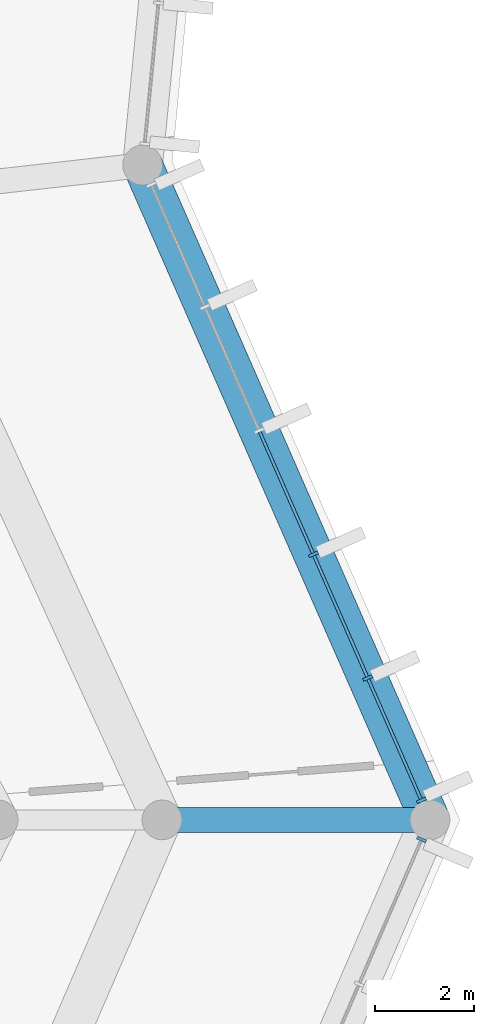
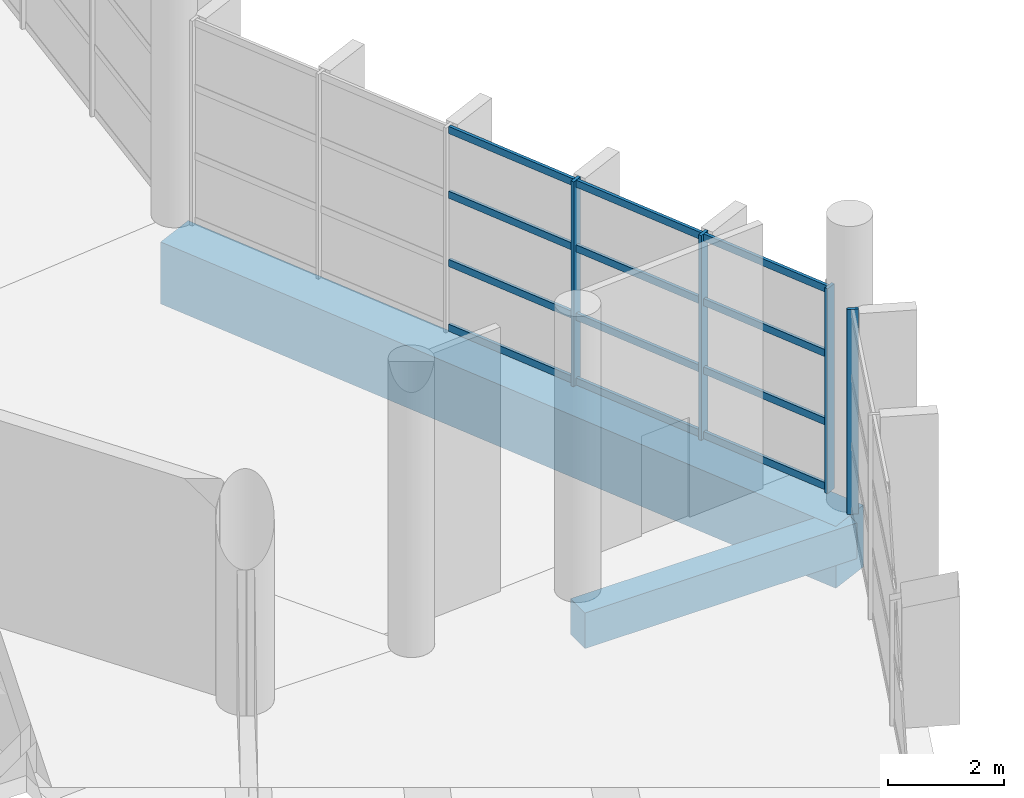
# One storey, part 85 of 249: 16 members, 2 beams, 2 elements without a shape of their own.
"""IFC4 building model written with IfcOpenShell, lengths in metres."""

from ifc_helpers import new_model, si_unit, direction, frame, origin, origin_2d, place, context, subcontext, project, spatial, rectangle, extrude, material, layer, layer_set, material_profile, profile_set, type_object, element, aggregate, save


model = new_model("IFC4")

# Units and contexts
model_context = context("Model", 3, precision=1e-05, world=origin(), true_north=direction((0.0, 1.0)))
body_context = subcontext(model_context, "Body", "Model", "MODEL_VIEW")
ifc_project = project(units=[si_unit("LENGTHUNIT", "METRE"), si_unit("AREAUNIT", "SQUARE_METRE"), si_unit("VOLUMEUNIT", "CUBIC_METRE"), si_unit("PLANEANGLEUNIT", "RADIAN"), si_unit("MASSUNIT", "GRAM", prefix="KILO")], contexts=[model_context])

# Site, building, storey
site_placement = place(None, origin())
site = spatial("IfcSite", under=ifc_project, at=site_placement, CompositionType="ELEMENT")
building_placement = place(site_placement, origin())
building = spatial("IfcBuilding", under=site, at=building_placement, Name="Meseta Stadium", CompositionType="ELEMENT")
storey_placement = place(building_placement, frame((0.0, 0.0, 12.0)))
storey = spatial("IfcBuildingStorey", under=building, at=storey_placement, Name="L02", CompositionType="ELEMENT", Elevation=12.0)

# Beams
ifc_material_1 = material(Name="Concrete C40/50", Category="concrete")
ifc_material_profile_1 = material_profile(ifc_material_1, rectangle(XDim=0.5, YDim=0.75, at=origin_2d()), Name="RC 500x750")
ifc_profile_set_1 = profile_set([ifc_material_profile_1], Name="Concrete C40/50")
beam_type_1 = type_object("IfcBeamType", Name="RC beam 500x750", PredefinedType="BEAM", material=ifc_profile_set_1)
beam_1_placement = place(storey_placement, frame((108.0, 43.75, -0.72509765625), z_axis=(1.0, 0.0, 0.0), x_axis=(0.0, 1.0, 0.0)))
element("IfcBeam", 1, at=beam_1_placement, inside=storey, type_object=beam_type_1, Name="L02 radial beam frame 8 line Q to O", PredefinedType="BEAM", context=body_context, shape_type="SweptSolid", body=[
    extrude(rectangle(XDim=0.5, YDim=0.75, at=origin_2d()), origin(), (0.0, 0.0, 1.0), 5.39990234375),
])
ifc_material_2 = material(Name="Concrete C40/50", Category="concrete")
ifc_material_profile_2 = material_profile(ifc_material_2, rectangle(XDim=0.800048828125, YDim=1.300048828125, at=origin_2d()), Name="RC 800x1300")
ifc_profile_set_2 = profile_set([ifc_material_profile_2], Name="Concrete C40/50")
beam_type_2 = type_object("IfcBeamType", Name="RC beam 800x1300", PredefinedType="BEAM", material=ifc_profile_set_2)
beam_2_placement = place(storey_placement, frame((113.39990234375, 43.75, -1.0), z_axis=(-0.401887137806, 0.915689209539, 0.0), x_axis=(-0.915689209539, -0.401887137806, 0.0)))
element("IfcBeam", 2, at=beam_2_placement, inside=storey, type_object=beam_type_2, Name="L02 ring beam frame 8 line O", PredefinedType="BEAM", context=body_context, shape_type="SweptSolid", body=[
    extrude(rectangle(XDim=0.800048828125, YDim=1.300048828125, at=origin_2d()), origin(), (0.0, 0.0, 1.0), 14.406494140625),
])

# Curtain wall, member
ifc_material_3 = material(Name="Aluminium", Category="aluminium")
ifc_layer = layer(ifc_material_3, 0.199951171875)
ifc_layer_set = layer_set([ifc_layer], Name="Ring shopfront curtain wall")
curtain_wall_type = type_object("IfcCurtainWallType", Name="Ring shopfront curtain wall", PredefinedType="NOTDEFINED", material=ifc_layer_set)
curtain_wall_1_placement = place(storey_placement, origin())
curtain_wall_1 = element("IfcCurtainWall", 3, at=curtain_wall_1_placement, inside=storey, type_object=curtain_wall_type, Name="Ring glazing L02 F07", PredefinedType="NOTDEFINED")
ifc_material_4 = material(Name="Aluminium", Category="aluminium")
ifc_material_profile_3 = material_profile(ifc_material_4, rectangle(XDim=0.199951171875, YDim=0.06005859375, at=origin_2d()), Name="CW 200x60")
ifc_profile_set_3 = profile_set([ifc_material_profile_3], Name="Aluminium")
member_type_1 = type_object("IfcMemberType", Name="Ring CW mullion 60x200", PredefinedType="MULLION", material=ifc_profile_set_3)
member_1_placement = place(storey_placement, frame((113.2294921875, 43.355224609375, 0.0), z_axis=(0.0, 0.0, 1.0), x_axis=(-0.91799986854, 0.396580687073, 0.0)))
member_1 = element("IfcMember", 4, at=member_1_placement, type_object=member_type_1, Name="CWR1 mullion 5", PredefinedType="MULLION", context=body_context, shape_type="SweptSolid", body=[
    extrude(rectangle(XDim=0.199951171875, YDim=0.06005859375, at=origin_2d()), origin(), (0.0, 0.0, 1.0), 4.300048828125),
])
aggregate(curtain_wall_1, [member_1])

# Curtain wall, members
curtain_wall_2_placement = place(storey_placement, origin())
curtain_wall_2 = element("IfcCurtainWall", 5, at=curtain_wall_2_placement, inside=storey, type_object=curtain_wall_type, Name="Ring glazing L02 F08", PredefinedType="NOTDEFINED")
member_2_placement = place(storey_placement, frame((113.22705078125, 44.143798828125, 0.0), z_axis=(0.0, 0.0, 1.0), x_axis=(-0.915687110145, -0.401891921186, 0.0)))
member_2 = element("IfcMember", 6, at=member_2_placement, type_object=member_type_1, Name="CWR1 mullion 1", PredefinedType="MULLION", context=body_context, shape_type="SweptSolid", body=[
    extrude(rectangle(XDim=0.199951171875, YDim=0.06005859375, at=origin_2d()), origin(), (0.0, 0.0, 1.0), 4.300048828125),
])
member_3_placement = place(storey_placement, frame((112.1455078125, 46.608154296875, 0.0), z_axis=(0.0, 0.0, 1.0), x_axis=(-0.915687110145, -0.401891921186, 0.0)))
member_3 = element("IfcMember", 7, at=member_3_placement, type_object=member_type_1, Name="CWR1 mullion 2", PredefinedType="MULLION", context=body_context, shape_type="SweptSolid", body=[
    extrude(rectangle(XDim=0.199951171875, YDim=0.06005859375, at=origin_2d()), origin(), (0.0, 0.0, 1.0), 4.300048828125),
])
member_4_placement = place(storey_placement, frame((111.052001953125, 49.10009765625, 0.0), z_axis=(0.0, 0.0, 1.0), x_axis=(-0.915687110145, -0.401891921186, 0.0)))
member_4 = element("IfcMember", 8, at=member_4_placement, type_object=member_type_1, Name="CWR1 mullion 3", PredefinedType="MULLION", context=body_context, shape_type="SweptSolid", body=[
    extrude(rectangle(XDim=0.199951171875, YDim=0.06005859375, at=origin_2d()), origin(), (0.0, 0.0, 1.0), 4.300048828125),
])
ifc_material_5 = material(Name="Aluminium", Category="aluminium")
ifc_material_profile_4 = material_profile(ifc_material_5, rectangle(XDim=0.06005859375, YDim=0.14990234375, at=origin_2d()), Name="CW 60x150")
ifc_profile_set_4 = profile_set([ifc_material_profile_4], Name="Aluminium")
member_type_2 = type_object("IfcMemberType", Name="Ring CW transom 60x150", PredefinedType="USERDEFINED", material=ifc_profile_set_4)
member_5_placement = place(storey_placement, frame((113.215087890625, 44.171142578125, 0.074951171875), z_axis=(-0.40185534472, 0.915703162559, 0.0), x_axis=(-0.915703162559, -0.40185534472, 0.0)))
member_5 = element("IfcMember", 9, at=member_5_placement, type_object=member_type_2, Name="CWR1 transom 1.1", ObjectType="TRANSOM", PredefinedType="USERDEFINED", context=body_context, shape_type="SweptSolid", body=[
    extrude(rectangle(XDim=0.06005859375, YDim=0.14990234375, at=origin_2d()), origin(), (0.0, 0.0, 1.0), 2.63134765625),
])
member_6_placement = place(storey_placement, frame((113.215087890625, 44.171142578125, 1.433349609375), z_axis=(-0.40185534472, 0.915703162559, 0.0), x_axis=(-0.915703162559, -0.40185534472, 0.0)))
member_6 = element("IfcMember", 10, at=member_6_placement, type_object=member_type_2, Name="CWR1 transom 1.2", ObjectType="TRANSOM", PredefinedType="USERDEFINED", context=body_context, shape_type="SweptSolid", body=[
    extrude(rectangle(XDim=0.06005859375, YDim=0.14990234375, at=origin_2d()), origin(), (0.0, 0.0, 1.0), 2.63134765625),
])
member_7_placement = place(storey_placement, frame((113.215087890625, 44.171142578125, 2.86669921875), z_axis=(-0.40185534472, 0.915703162559, 0.0), x_axis=(-0.915703162559, -0.40185534472, 0.0)))
member_7 = element("IfcMember", 11, at=member_7_placement, type_object=member_type_2, Name="CWR1 transom 1.3", ObjectType="TRANSOM", PredefinedType="USERDEFINED", context=body_context, shape_type="SweptSolid", body=[
    extrude(rectangle(XDim=0.06005859375, YDim=0.14990234375, at=origin_2d()), origin(), (0.0, 0.0, 1.0), 2.63134765625),
])
member_8_placement = place(storey_placement, frame((113.215087890625, 44.171142578125, 4.22509765625), z_axis=(-0.40185534472, 0.915703162559, 0.0), x_axis=(-0.915703162559, -0.40185534472, 0.0)))
member_8 = element("IfcMember", 12, at=member_8_placement, type_object=member_type_2, Name="CWR1 transom 1.4", ObjectType="TRANSOM", PredefinedType="USERDEFINED", context=body_context, shape_type="SweptSolid", body=[
    extrude(rectangle(XDim=0.06005859375, YDim=0.14990234375, at=origin_2d()), origin(), (0.0, 0.0, 1.0), 2.63134765625),
])
member_9_placement = place(storey_placement, frame((112.133544921875, 46.635498046875, 0.074951171875), z_axis=(-0.401886887269, 0.915689319497, 0.0), x_axis=(-0.915689319497, -0.401886887269, 0.0)))
member_9 = element("IfcMember", 13, at=member_9_placement, type_object=member_type_2, Name="CWR1 transom 2.1", ObjectType="TRANSOM", PredefinedType="USERDEFINED", context=body_context, shape_type="SweptSolid", body=[
    extrude(rectangle(XDim=0.06005859375, YDim=0.14990234375, at=origin_2d()), origin(), (0.0, 0.0, 1.0), 2.661376953125),
])
member_10_placement = place(storey_placement, frame((112.133544921875, 46.635498046875, 1.433349609375), z_axis=(-0.401886887269, 0.915689319497, 0.0), x_axis=(-0.915689319497, -0.401886887269, 0.0)))
member_10 = element("IfcMember", 14, at=member_10_placement, type_object=member_type_2, Name="CWR1 transom 2.2", ObjectType="TRANSOM", PredefinedType="USERDEFINED", context=body_context, shape_type="SweptSolid", body=[
    extrude(rectangle(XDim=0.06005859375, YDim=0.14990234375, at=origin_2d()), origin(), (0.0, 0.0, 1.0), 2.661376953125),
])
member_11_placement = place(storey_placement, frame((112.133544921875, 46.635498046875, 2.86669921875), z_axis=(-0.401886887269, 0.915689319497, 0.0), x_axis=(-0.915689319497, -0.401886887269, 0.0)))
member_11 = element("IfcMember", 15, at=member_11_placement, type_object=member_type_2, Name="CWR1 transom 2.3", ObjectType="TRANSOM", PredefinedType="USERDEFINED", context=body_context, shape_type="SweptSolid", body=[
    extrude(rectangle(XDim=0.06005859375, YDim=0.14990234375, at=origin_2d()), origin(), (0.0, 0.0, 1.0), 2.661376953125),
])
member_12_placement = place(storey_placement, frame((112.133544921875, 46.635498046875, 4.22509765625), z_axis=(-0.401886887269, 0.915689319497, 0.0), x_axis=(-0.915689319497, -0.401886887269, 0.0)))
member_12 = element("IfcMember", 16, at=member_12_placement, type_object=member_type_2, Name="CWR1 transom 2.4", ObjectType="TRANSOM", PredefinedType="USERDEFINED", context=body_context, shape_type="SweptSolid", body=[
    extrude(rectangle(XDim=0.06005859375, YDim=0.14990234375, at=origin_2d()), origin(), (0.0, 0.0, 1.0), 2.661376953125),
])
member_13_placement = place(storey_placement, frame((111.039794921875, 49.12744140625, 0.074951171875), z_axis=(-0.401886887269, 0.915689319497, 0.0), x_axis=(-0.915689319497, -0.401886887269, 0.0)))
member_13 = element("IfcMember", 17, at=member_13_placement, type_object=member_type_2, Name="CWR1 transom 3.1", ObjectType="TRANSOM", PredefinedType="USERDEFINED", context=body_context, shape_type="SweptSolid", body=[
    extrude(rectangle(XDim=0.06005859375, YDim=0.14990234375, at=origin_2d()), origin(), (0.0, 0.0, 1.0), 2.661376953125),
])
member_14_placement = place(storey_placement, frame((111.039794921875, 49.12744140625, 1.433349609375), z_axis=(-0.401886887269, 0.915689319497, 0.0), x_axis=(-0.915689319497, -0.401886887269, 0.0)))
member_14 = element("IfcMember", 18, at=member_14_placement, type_object=member_type_2, Name="CWR1 transom 3.2", ObjectType="TRANSOM", PredefinedType="USERDEFINED", context=body_context, shape_type="SweptSolid", body=[
    extrude(rectangle(XDim=0.06005859375, YDim=0.14990234375, at=origin_2d()), origin(), (0.0, 0.0, 1.0), 2.661376953125),
])
member_15_placement = place(storey_placement, frame((111.039794921875, 49.12744140625, 2.86669921875), z_axis=(-0.401886887269, 0.915689319497, 0.0), x_axis=(-0.915689319497, -0.401886887269, 0.0)))
member_15 = element("IfcMember", 19, at=member_15_placement, type_object=member_type_2, Name="CWR1 transom 3.3", ObjectType="TRANSOM", PredefinedType="USERDEFINED", context=body_context, shape_type="SweptSolid", body=[
    extrude(rectangle(XDim=0.06005859375, YDim=0.14990234375, at=origin_2d()), origin(), (0.0, 0.0, 1.0), 2.661376953125),
])
member_16_placement = place(storey_placement, frame((111.039794921875, 49.12744140625, 4.22509765625), z_axis=(-0.401886887269, 0.915689319497, 0.0), x_axis=(-0.915689319497, -0.401886887269, 0.0)))
member_16 = element("IfcMember", 20, at=member_16_placement, type_object=member_type_2, Name="CWR1 transom 3.4", ObjectType="TRANSOM", PredefinedType="USERDEFINED", context=body_context, shape_type="SweptSolid", body=[
    extrude(rectangle(XDim=0.06005859375, YDim=0.14990234375, at=origin_2d()), origin(), (0.0, 0.0, 1.0), 2.661376953125),
])
aggregate(curtain_wall_2, [member_2, member_3, member_4, member_5, member_6, member_7, member_8, member_9, member_10, member_11, member_12, member_13, member_14, member_15, member_16])

save(model, "model.ifc")
